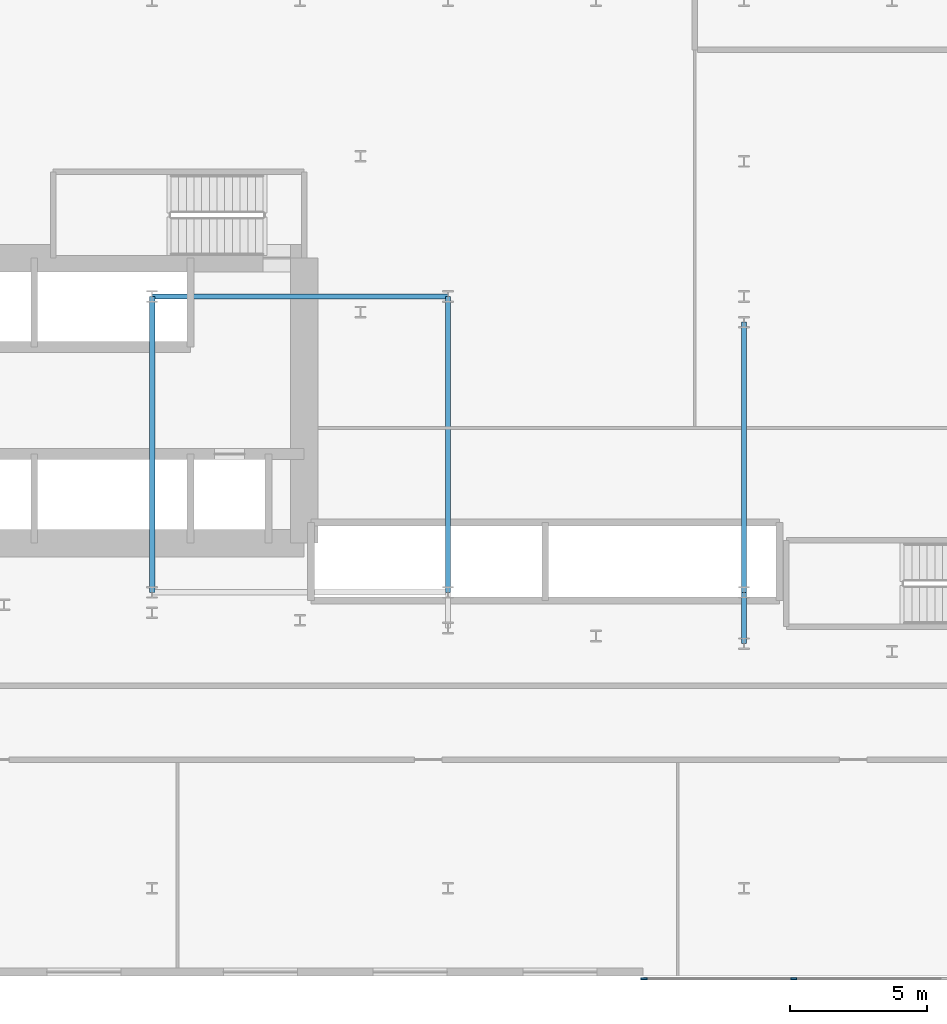
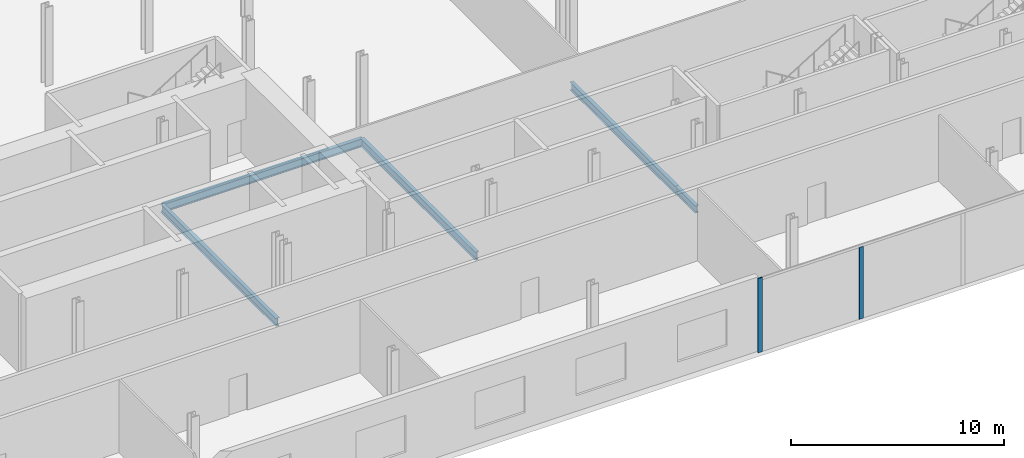
# One storey, part 8 of 47: 5 beams, 2 members, 1 element without a shape of its own.
"""IFC4 building model written with IfcOpenShell, lengths in metres."""

from ifc_helpers import new_model, si_unit, direction, frame, origin, origin_2d, place, context, subcontext, project, spatial, rectangle, i_section, extrude, material, layer, layer_set, material_profile, profile_set, type_object, element, aggregate, save


model = new_model("IFC4")

# Units and contexts
model_context = context("Model", 3, precision=1e-05, world=origin(), true_north=direction((0.0, 1.0)))
body_context = subcontext(model_context, "Body", "Model", "MODEL_VIEW")
ifc_project = project(units=[si_unit("LENGTHUNIT", "METRE"), si_unit("AREAUNIT", "SQUARE_METRE"), si_unit("VOLUMEUNIT", "CUBIC_METRE"), si_unit("PLANEANGLEUNIT", "RADIAN"), si_unit("MASSUNIT", "GRAM", prefix="KILO")], contexts=[model_context])

# Site, building, storey
site_placement = place(None, origin())
site = spatial("IfcSite", under=ifc_project, at=site_placement, CompositionType="ELEMENT")
building_placement = place(site_placement, origin())
building = spatial("IfcBuilding", under=site, at=building_placement, Name="Kheshtan School and Residences Tower", CompositionType="ELEMENT")
storey_placement = place(building_placement, frame((0.0, 0.0, 21.5)))
storey = spatial("IfcBuildingStorey", under=building, at=storey_placement, Name="L04", CompositionType="ELEMENT", Elevation=21.5)

# Beams
ifc_material_1 = material(Name="Steel ASTM A992 Grade 50", Category="steel")
ifc_material_profile_1 = material_profile(ifc_material_1, i_section(OverallWidth=0.180908203125, OverallDepth=0.4169921875, WebThickness=0.010986328125, FlangeThickness=0.018310546875, FilletRadius=0.012451171875, at=origin_2d()), Name="W410x85")
ifc_profile_set_1 = profile_set([ifc_material_profile_1], Name="Steel ASTM A992 Grade 50")
beam_type_1 = type_object("IfcBeamType", Name="Beam PB1 W410x85 ASTM A992 Grade 50", PredefinedType="BEAM", material=ifc_profile_set_1)
beam_1_placement = place(storey_placement, frame((69.199951171875, 22.1298828125, -0.528564453125), z_axis=(0.0, 1.0, 0.0), x_axis=(-1.0, 0.0, 0.0)))
element("IfcBeam", 1, at=beam_1_placement, inside=storey, type_object=beam_type_1, Name="Podium floor beam PB1", PredefinedType="BEAM", context=body_context, shape_type="SweptSolid", body=[
    extrude(i_section(OverallWidth=0.180908203125, OverallDepth=0.4169921875, WebThickness=0.010986328125, FlangeThickness=0.018310546875, FilletRadius=0.012451171875, at=origin_2d()), origin(), (0.0, 0.0, 1.0), 1.8701171875),
])
ifc_material_profile_2 = material_profile(ifc_material_1, i_section(OverallWidth=0.194091796875, OverallDepth=0.468994140625, WebThickness=0.0126953125, FlangeThickness=0.0205078125, FilletRadius=0.01416015625, at=origin_2d()), Name="W460x106")
ifc_profile_set_2 = profile_set([ifc_material_profile_2], Name="Steel ASTM A992 Grade 50")
beam_type_2 = type_object("IfcBeamType", Name="Beam PB2 W460x106 ASTM A992 Grade 50", PredefinedType="BEAM", material=ifc_profile_set_2)
for number, where, z_axis, x_axis, name in (
    (2, (47.60009765625, 24.0, -0.554443359375), (0.0, 1.0, 0.0), (-1.0, 0.0, 0.0), "Podium floor beam PB2"),
    (3, (58.39990234375, 24.0, -0.554443359375), (0.0, 1.0, 0.0), (-1.0, 0.0, 0.0), "Podium floor beam PB2"),
):
    element("IfcBeam", number, at=place(storey_placement, frame(where, z_axis=z_axis, x_axis=x_axis)), inside=storey, type_object=beam_type_2, Name=name, PredefinedType="BEAM", context=body_context, shape_type="SweptSolid", body=[
        extrude(i_section(OverallWidth=0.194091796875, OverallDepth=0.468994140625, WebThickness=0.0126953125, FlangeThickness=0.0205078125, FilletRadius=0.01416015625, at=origin_2d()), origin(), (0.0, 0.0, 1.0), 10.800048828125),
    ])
beam_2_placement = place(storey_placement, frame((69.199951171875, 24.0, -0.554443359375), z_axis=(0.0, 1.0, 0.0), x_axis=(-1.0, 0.0, 0.0)))
element("IfcBeam", 4, at=beam_2_placement, inside=storey, type_object=beam_type_2, Name="Podium floor beam PB2", PredefinedType="BEAM", context=body_context, shape_type="SweptSolid", body=[
    extrude(i_section(OverallWidth=0.194091796875, OverallDepth=0.468994140625, WebThickness=0.0126953125, FlangeThickness=0.0205078125, FilletRadius=0.01416015625, at=origin_2d()), origin(), (0.0, 0.0, 1.0), 9.860107421875),
])
beam_3_placement = place(storey_placement, frame((47.60009765625, 34.800048828125, -0.554443359375), z_axis=(1.0, 0.0, 0.0), x_axis=(0.0, 1.0, 0.0)))
element("IfcBeam", 5, at=beam_3_placement, inside=storey, type_object=beam_type_2, Name="Podium floor beam PB2", PredefinedType="BEAM", context=body_context, shape_type="SweptSolid", body=[
    extrude(i_section(OverallWidth=0.194091796875, OverallDepth=0.468994140625, WebThickness=0.0126953125, FlangeThickness=0.0205078125, FilletRadius=0.01416015625, at=origin_2d()), origin(), (0.0, 0.0, 1.0), 10.7998046875),
])

# Curtain wall, members
ifc_material_2 = material(Name="Clear low-e glass in thermally broken aluminium frame", Category="aluminium")
ifc_layer = layer(ifc_material_2, 0.22509765625)
ifc_layer_set = layer_set([ifc_layer], Name="Curtain wall CW-P")
curtain_wall_type = type_object("IfcCurtainWallType", Name="Curtain wall CW-P", PredefinedType="NOTDEFINED", material=ifc_layer_set)
curtain_wall_placement = place(storey_placement, origin())
curtain_wall = element("IfcCurtainWall", 6, at=curtain_wall_placement, inside=storey, type_object=curtain_wall_type, Name="Curtain wall CWP12a", PredefinedType="NOTDEFINED")
ifc_material_3 = material(Name="Thermally broken aluminium, dark bronze anodised", Category="aluminium")
ifc_material_profile_3 = material_profile(ifc_material_3, rectangle(XDim=0.06005859375, YDim=0.22509765625, at=origin_2d()), Name="CW-P mullion 60x225")
ifc_profile_set_3 = profile_set([ifc_material_profile_3], Name="Thermally broken aluminium, dark bronze anodised")
member_type = type_object("IfcMemberType", Name="CW-P mullion 60x225", PredefinedType="MULLION", material=ifc_profile_set_3)
member_1_placement = place(storey_placement, frame((71.01806640625, 9.89990234375, 0.0), z_axis=(0.0, 0.0, 1.0), x_axis=(0.0, -1.0, 0.0)))
member_1 = element("IfcMember", 7, at=member_1_placement, type_object=member_type, Name="CWP12a mullion 11", PredefinedType="MULLION", context=body_context, shape_type="SweptSolid", body=[
    extrude(rectangle(XDim=0.06005859375, YDim=0.22509765625, at=origin_2d()), origin(), (0.0, 0.0, 1.0), 4.110107421875),
])
member_2_placement = place(storey_placement, frame((65.550048828125, 9.89990234375, 0.0), z_axis=(0.0, 0.0, 1.0), x_axis=(0.0, -1.0, 0.0)))
member_2 = element("IfcMember", 8, at=member_2_placement, type_object=member_type, Name="CWP12a mullion 12", PredefinedType="MULLION", context=body_context, shape_type="SweptSolid", body=[
    extrude(rectangle(XDim=0.06005859375, YDim=0.22509765625, at=origin_2d()), origin(), (0.0, 0.0, 1.0), 4.25),
])
aggregate(curtain_wall, [member_1, member_2])

save(model, "model.ifc")
